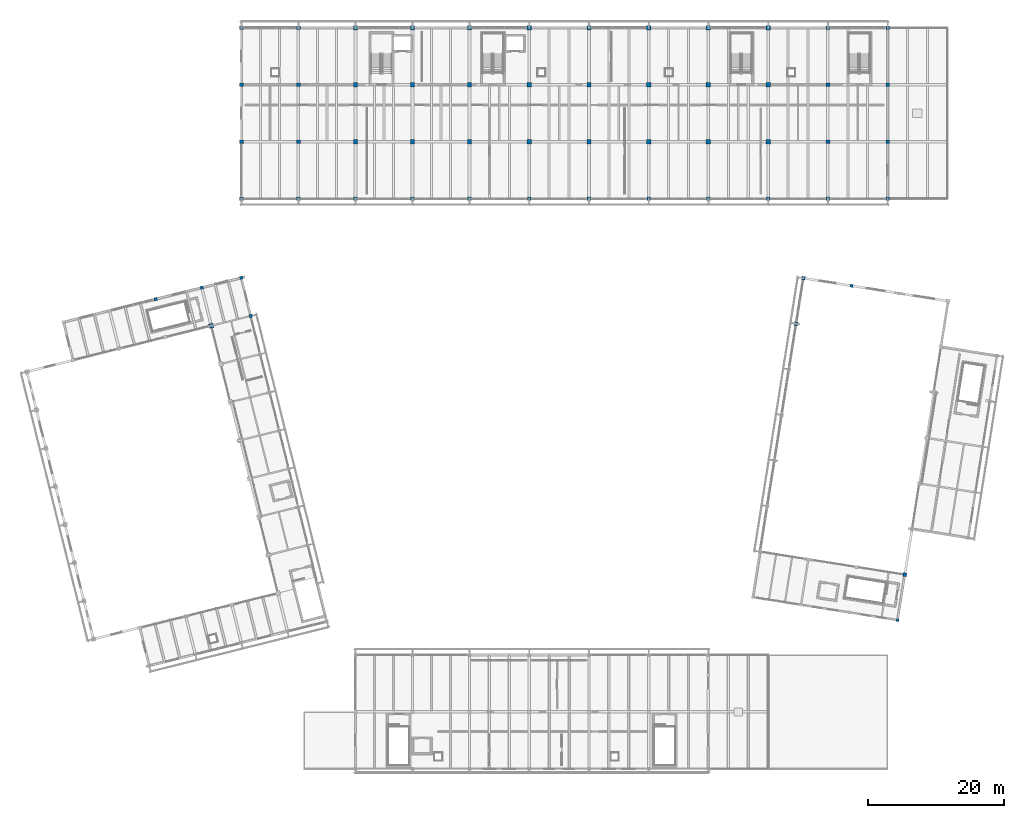
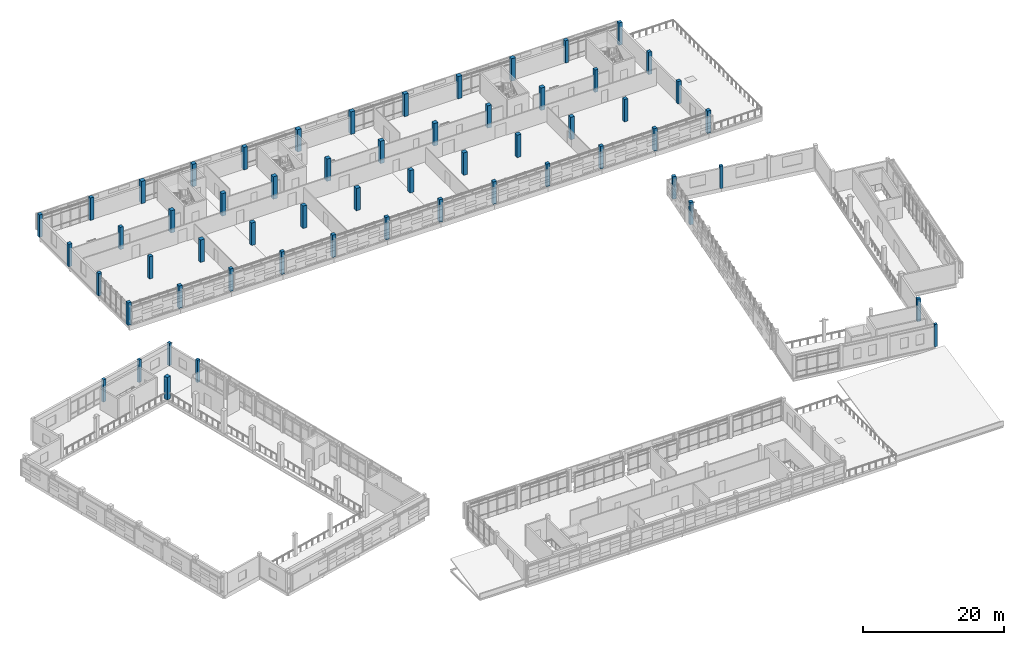
# One storey, part 2 of 117: 58 columns.
"""IFC4 building model written with IfcOpenShell, lengths in metres."""

from ifc_helpers import new_model, si_unit, direction, frame, origin, origin_2d, place, context, subcontext, project, spatial, rectangle, extrude, material, material_profile, profile_set, type_object, element, save


model = new_model("IFC4")

# Units and contexts
model_context = context("Model", 3, precision=1e-05, world=origin(), true_north=direction((0.0, 1.0)))
body_context = subcontext(model_context, "Body", "Model", "MODEL_VIEW")
ifc_project = project(units=[si_unit("LENGTHUNIT", "METRE"), si_unit("AREAUNIT", "SQUARE_METRE"), si_unit("VOLUMEUNIT", "CUBIC_METRE"), si_unit("PLANEANGLEUNIT", "RADIAN"), si_unit("MASSUNIT", "GRAM", prefix="KILO")], contexts=[model_context])

# Site, building, storey
site_placement = place(None, origin())
site = spatial("IfcSite", under=ifc_project, at=site_placement, CompositionType="ELEMENT")
building_placement = place(site_placement, origin())
building = spatial("IfcBuilding", under=site, at=building_placement, Name="Cinderway Yard Community Centre", CompositionType="ELEMENT")
storey_placement = place(building_placement, frame((0.0, 0.0, 9.0)))
storey = spatial("IfcBuildingStorey", under=building, at=storey_placement, Name="L02", CompositionType="ELEMENT", Elevation=9.0)

# Columns
ifc_material = material(Name="Concrete C40/50", Category="concrete")
ifc_material_profile_1 = material_profile(ifc_material, rectangle(XDim=0.39990234375, YDim=0.39990234375, at=origin_2d()), Name="Concrete C40/50")
ifc_profile_set_1 = profile_set([ifc_material_profile_1], Name="Concrete C40/50")
column_type_1 = type_object("IfcColumnType", Name="STR-COL-RC400", PredefinedType="COLUMN", material=ifc_profile_set_1)
column_placement = place(storey_placement, frame((138.27001953125, 27.905029296875, 0.0), z_axis=(0.0, 0.0, 1.0), x_axis=(0.987688340595, -0.15643446504, 0.0)))
element("IfcColumn", 1, at=column_placement, inside=storey, type_object=column_type_1, Name="Column V2-CS-216 L02", PredefinedType="COLUMN", context=body_context, shape_type="SweptSolid", body=[
    extrude(rectangle(XDim=0.39990234375, YDim=0.39990234375, at=origin_2d()), origin(), (0.0, 0.0, 1.0), 3.89990234375),
])
ifc_material_profile_2 = material_profile(ifc_material, rectangle(XDim=0.449951171875, YDim=0.449951171875, at=origin_2d()), Name="Concrete C40/50")
ifc_profile_set_2 = profile_set([ifc_material_profile_2], Name="Concrete C40/50")
column_type_2 = type_object("IfcColumnType", Name="STR-COL-RC450", PredefinedType="COLUMN", material=ifc_profile_set_2)
for number, where, z_axis, x_axis, name in (
    (2, (42.97705078125, 72.736083984375, 0.0), (0.0, 0.0, 1.0), (0.970295726276, 0.2419218956, 0.0), "Column V1-C-G08 L02"),
    (3, (28.9599609375, 75.218994140625, 0.0), (0.0, 0.0, 1.0), (0.970295726276, 0.2419218956, 0.0), "Column V1-CN-21 L02"),
    (4, (35.7529296875, 76.912109375, 0.0), (0.0, 0.0, 1.0), (0.970295726276, 0.2419218956, 0.0), "Column V1-CN-28 L02"),
    (5, (41.573974609375, 78.364013671875, 0.0), (0.0, 0.0, 1.0), (0.970295726276, 0.2419218956, 0.0), "Column V1-CN-34 L02"),
    (6, (131.493896484375, 77.1708984375, 0.0), (0.0, 0.0, 1.0), (0.987688340595, -0.15643446504, 0.0), "Column V2-GN-072 L02"),
):
    element("IfcColumn", number, at=place(storey_placement, frame(where, z_axis=z_axis, x_axis=x_axis)), inside=storey, type_object=column_type_2, Name=name, PredefinedType="COLUMN", context=body_context, shape_type="SweptSolid", body=[
        extrude(rectangle(XDim=0.449951171875, YDim=0.449951171875, at=origin_2d()), origin(), (0.0, 0.0, 1.0), 3.89990234375),
    ])
ifc_material_profile_3 = material_profile(ifc_material, rectangle(XDim=0.550048828125, YDim=0.550048828125, at=origin_2d()), Name="Concrete C40/50")
ifc_profile_set_3 = profile_set([ifc_material_profile_3], Name="Concrete C40/50")
column_type_3 = type_object("IfcColumnType", Name="STR-COL-RC550", PredefinedType="COLUMN", material=ifc_profile_set_3)
for number, where, z_axis, x_axis, name in (
    (7, (123.319091796875, 71.5810546875, 0.0), (0.0, 0.0, 1.0), (0.987688340595, -0.15643446504, 0.0), "Column V2-C-W06 L02"),
    (8, (124.383056640625, 78.298095703125, 0.0), (0.0, 0.0, 1.0), (0.987688340595, -0.15643446504, 0.0), "Column V2-C-W07 L02"),
    (9, (139.333984375, 34.62109375, 0.0), (0.0, 0.0, 1.0), (0.987688340595, -0.15643446504, 0.0), "Column V2-C-E01 L02"),
    (10, (41.60009765625, 90.0, 0.0), (0.0, 0.0, 1.0), (1.0, 0.0, 0.0), "Column V4-C-01-1 L02"),
    (11, (41.60009765625, 98.39990234375, 0.0), (0.0, 0.0, 1.0), (1.0, 0.0, 0.0), "Column V4-C-01-2 L02"),
    (12, (41.60009765625, 106.800048828125, 0.0), (0.0, 0.0, 1.0), (1.0, 0.0, 0.0), "Column V4-C-01-3 L02"),
    (13, (41.60009765625, 115.199951171875, 0.0), (0.0, 0.0, 1.0), (1.0, 0.0, 0.0), "Column V4-C-01-4 L02"),
    (14, (50.0, 90.0, 0.0), (0.0, 0.0, 1.0), (1.0, 0.0, 0.0), "Column V4-C-02-1 L02"),
    (15, (50.0, 98.39990234375, 0.0), (0.0, 0.0, 1.0), (1.0, 0.0, 0.0), "Column V4-C-02-2 L02"),
    (16, (50.0, 106.800048828125, 0.0), (0.0, 0.0, 1.0), (1.0, 0.0, 0.0), "Column V4-C-02-3 L02"),
    (17, (50.0, 115.199951171875, 0.0), (0.0, 0.0, 1.0), (1.0, 0.0, 0.0), "Column V4-C-02-4 L02"),
    (18, (58.39990234375, 90.0, 0.0), (0.0, 0.0, 1.0), (1.0, 0.0, 0.0), "Column V4-C-03-1 L02"),
    (19, (66.800048828125, 90.0, 0.0), (0.0, 0.0, 1.0), (1.0, 0.0, 0.0), "Column V4-C-04-1 L02"),
    (20, (75.199951171875, 90.0, 0.0), (0.0, 0.0, 1.0), (1.0, 0.0, 0.0), "Column V4-C-05-1 L02"),
    (21, (84.0, 90.0, 0.0), (0.0, 0.0, 1.0), (1.0, 0.0, 0.0), "Column V4-C-06-1 L02"),
    (22, (92.800048828125, 90.0, 0.0), (0.0, 0.0, 1.0), (1.0, 0.0, 0.0), "Column V4-C-07-1 L02"),
    (23, (101.60009765625, 90.0, 0.0), (0.0, 0.0, 1.0), (1.0, 0.0, 0.0), "Column V4-C-08-1 L02"),
    (24, (110.39990234375, 90.0, 0.0), (0.0, 0.0, 1.0), (1.0, 0.0, 0.0), "Column V4-C-09-1 L02"),
    (25, (119.199951171875, 90.0, 0.0), (0.0, 0.0, 1.0), (1.0, 0.0, 0.0), "Column V4-C-10-1 L02"),
    (26, (128.0, 90.0, 0.0), (0.0, 0.0, 1.0), (1.0, 0.0, 0.0), "Column V4-C-11-1 L02"),
    (27, (128.0, 98.39990234375, 0.0), (0.0, 0.0, 1.0), (1.0, 0.0, 0.0), "Column V4-C-11-2 L02"),
    (28, (128.0, 106.800048828125, 0.0), (0.0, 0.0, 1.0), (1.0, 0.0, 0.0), "Column V4-C-11-3 L02"),
    (29, (128.0, 115.199951171875, 0.0), (0.0, 0.0, 1.0), (1.0, 0.0, 0.0), "Column V4-C-11-4 L02"),
    (30, (136.800048828125, 90.0, 0.0), (0.0, 0.0, 1.0), (1.0, 0.0, 0.0), "Column V4-C-12-1 L02"),
    (31, (136.800048828125, 98.39990234375, 0.0), (0.0, 0.0, 1.0), (1.0, 0.0, 0.0), "Column V4-C-12-2 L02"),
    (32, (136.800048828125, 106.800048828125, 0.0), (0.0, 0.0, 1.0), (1.0, 0.0, 0.0), "Column V4-C-12-3 L02"),
    (33, (136.800048828125, 115.199951171875, 0.0), (0.0, 0.0, 1.0), (1.0, 0.0, 0.0), "Column V4-C-12-4 L02"),
):
    element("IfcColumn", number, at=place(storey_placement, frame(where, z_axis=z_axis, x_axis=x_axis)), inside=storey, type_object=column_type_3, Name=name, PredefinedType="COLUMN", context=body_context, shape_type="SweptSolid", body=[
        extrude(rectangle(XDim=0.550048828125, YDim=0.550048828125, at=origin_2d()), origin(), (0.0, 0.0, 1.0), 3.89990234375),
    ])
ifc_material_profile_4 = material_profile(ifc_material, rectangle(XDim=0.64990234375, YDim=0.64990234375, at=origin_2d()), Name="Concrete C40/50")
ifc_profile_set_4 = profile_set([ifc_material_profile_4], Name="Concrete C40/50")
column_type_4 = type_object("IfcColumnType", Name="STR-COL-RC650", PredefinedType="COLUMN", material=ifc_profile_set_4)
for number, where, z_axis, x_axis, name in (
    (34, (37.156005859375, 71.284912109375, 0.0), (0.0, 0.0, 1.0), (0.970295726276, 0.2419218956, 0.0), "Column V1-C-E08 L02"),
    (35, (58.39990234375, 98.39990234375, 0.0), (0.0, 0.0, 1.0), (1.0, 0.0, 0.0), "Column V4-C-03-2 L02"),
    (36, (58.39990234375, 106.800048828125, 0.0), (0.0, 0.0, 1.0), (1.0, 0.0, 0.0), "Column V4-C-03-3 L02"),
    (37, (58.39990234375, 115.199951171875, 0.0), (0.0, 0.0, 1.0), (1.0, 0.0, 0.0), "Column V4-C-03-4 L02"),
    (38, (66.800048828125, 98.39990234375, 0.0), (0.0, 0.0, 1.0), (1.0, 0.0, 0.0), "Column V4-C-04-2 L02"),
    (39, (66.800048828125, 106.800048828125, 0.0), (0.0, 0.0, 1.0), (1.0, 0.0, 0.0), "Column V4-C-04-3 L02"),
    (40, (66.800048828125, 115.199951171875, 0.0), (0.0, 0.0, 1.0), (1.0, 0.0, 0.0), "Column V4-C-04-4 L02"),
    (41, (75.199951171875, 98.39990234375, 0.0), (0.0, 0.0, 1.0), (1.0, 0.0, 0.0), "Column V4-C-05-2 L02"),
    (42, (75.199951171875, 106.800048828125, 0.0), (0.0, 0.0, 1.0), (1.0, 0.0, 0.0), "Column V4-C-05-3 L02"),
    (43, (75.199951171875, 115.199951171875, 0.0), (0.0, 0.0, 1.0), (1.0, 0.0, 0.0), "Column V4-C-05-4 L02"),
    (44, (84.0, 98.39990234375, 0.0), (0.0, 0.0, 1.0), (1.0, 0.0, 0.0), "Column V4-C-06-2 L02"),
    (45, (84.0, 106.800048828125, 0.0), (0.0, 0.0, 1.0), (1.0, 0.0, 0.0), "Column V4-C-06-3 L02"),
    (46, (84.0, 115.199951171875, 0.0), (0.0, 0.0, 1.0), (1.0, 0.0, 0.0), "Column V4-C-06-4 L02"),
    (47, (92.800048828125, 98.39990234375, 0.0), (0.0, 0.0, 1.0), (1.0, 0.0, 0.0), "Column V4-C-07-2 L02"),
    (48, (92.800048828125, 106.800048828125, 0.0), (0.0, 0.0, 1.0), (1.0, 0.0, 0.0), "Column V4-C-07-3 L02"),
    (49, (92.800048828125, 115.199951171875, 0.0), (0.0, 0.0, 1.0), (1.0, 0.0, 0.0), "Column V4-C-07-4 L02"),
    (50, (101.60009765625, 98.39990234375, 0.0), (0.0, 0.0, 1.0), (1.0, 0.0, 0.0), "Column V4-C-08-2 L02"),
    (51, (101.60009765625, 106.800048828125, 0.0), (0.0, 0.0, 1.0), (1.0, 0.0, 0.0), "Column V4-C-08-3 L02"),
    (52, (101.60009765625, 115.199951171875, 0.0), (0.0, 0.0, 1.0), (1.0, 0.0, 0.0), "Column V4-C-08-4 L02"),
    (53, (110.39990234375, 98.39990234375, 0.0), (0.0, 0.0, 1.0), (1.0, 0.0, 0.0), "Column V4-C-09-2 L02"),
    (54, (110.39990234375, 106.800048828125, 0.0), (0.0, 0.0, 1.0), (1.0, 0.0, 0.0), "Column V4-C-09-3 L02"),
    (55, (110.39990234375, 115.199951171875, 0.0), (0.0, 0.0, 1.0), (1.0, 0.0, 0.0), "Column V4-C-09-4 L02"),
    (56, (119.199951171875, 98.39990234375, 0.0), (0.0, 0.0, 1.0), (1.0, 0.0, 0.0), "Column V4-C-10-2 L02"),
    (57, (119.199951171875, 106.800048828125, 0.0), (0.0, 0.0, 1.0), (1.0, 0.0, 0.0), "Column V4-C-10-3 L02"),
    (58, (119.199951171875, 115.199951171875, 0.0), (0.0, 0.0, 1.0), (1.0, 0.0, 0.0), "Column V4-C-10-4 L02"),
):
    element("IfcColumn", number, at=place(storey_placement, frame(where, z_axis=z_axis, x_axis=x_axis)), inside=storey, type_object=column_type_4, Name=name, PredefinedType="COLUMN", context=body_context, shape_type="SweptSolid", body=[
        extrude(rectangle(XDim=0.64990234375, YDim=0.64990234375, at=origin_2d()), origin(), (0.0, 0.0, 1.0), 3.89990234375),
    ])

save(model, "model.ifc")
